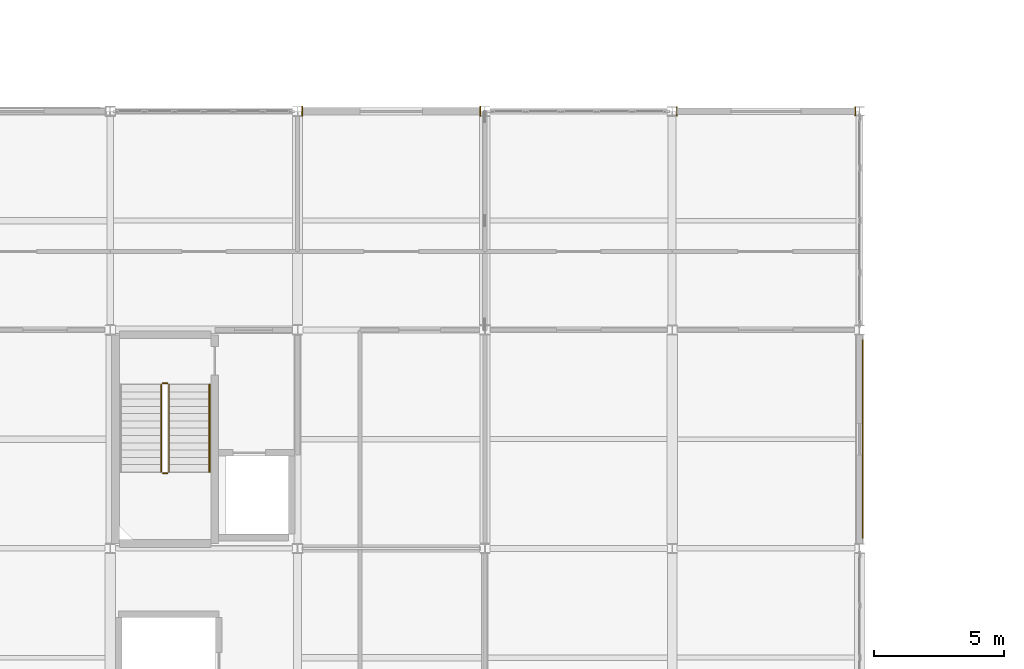
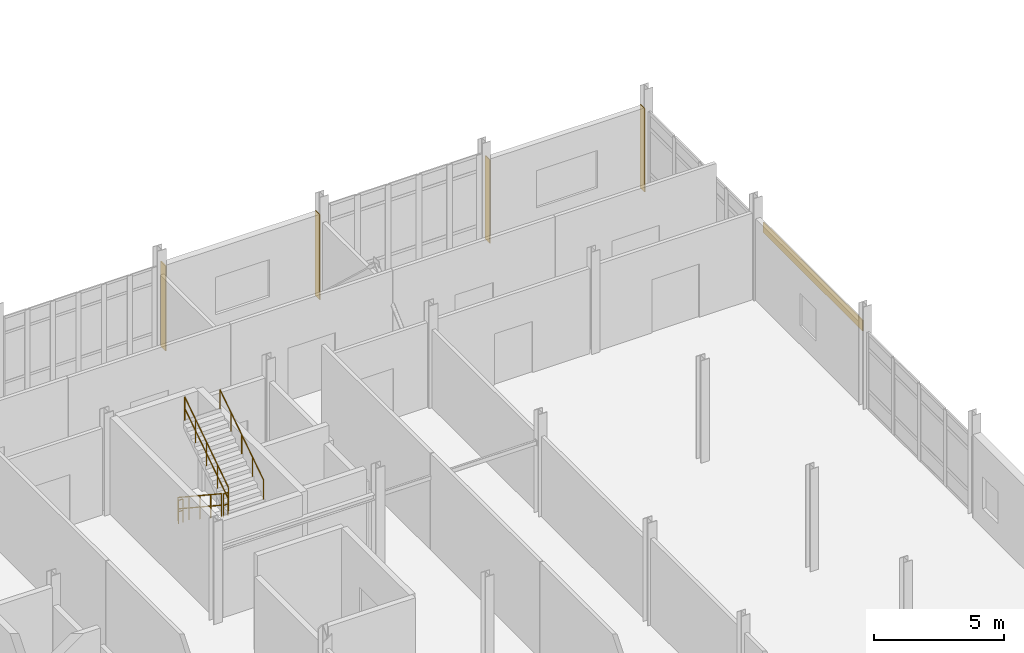
# One storey, part 185 of 186: 5 coverings, 5 railings.
"""IFC4 building model written with IfcOpenShell, lengths in metres."""

from ifc_helpers import new_model, si_unit, direction, frame, origin, origin_2d, place, context, subcontext, project, spatial, polyline, rectangle, circle, outline, extrude, material, layer, layer_set, type_object, element, save


model = new_model("IFC4")

# Units and contexts
model_context = context("Model", 3, precision=1e-05, world=origin(), true_north=direction((0.0, 1.0)))
body_context = subcontext(model_context, "Body", "Model", "MODEL_VIEW")
ifc_project = project(units=[si_unit("LENGTHUNIT", "METRE"), si_unit("AREAUNIT", "SQUARE_METRE"), si_unit("VOLUMEUNIT", "CUBIC_METRE"), si_unit("PLANEANGLEUNIT", "RADIAN"), si_unit("MASSUNIT", "GRAM", prefix="KILO")], contexts=[model_context])

# Site, building, storey
site_placement = place(None, origin())
site = spatial("IfcSite", under=ifc_project, at=site_placement, CompositionType="ELEMENT")
building_placement = place(site_placement, origin())
building = spatial("IfcBuilding", under=site, at=building_placement, Name="Calvrana Isthmian Art Gallery", CompositionType="ELEMENT")
storey_placement = place(building_placement, frame((0.0, 0.0, 5.39990234375)))
storey = spatial("IfcBuildingStorey", under=building, at=storey_placement, Name="L01", CompositionType="ELEMENT", Elevation=5.39990234375)

# Coverings
ifc_material_1 = material(Name="Polychrome glazed terracotta", Category="masonry")
ifc_layer = layer(ifc_material_1, 0.0400390625, Name="Polychrome glazed terracotta")
ifc_layer_set = layer_set([ifc_layer], Name="Polychrome glazed terracotta")
covering_type = type_object("IfcCoveringType", Name="COV-CLAD-TERRA", PredefinedType="CLADDING", material=ifc_layer_set)
covering_1_placement = place(storey_placement, origin())
element("IfcCovering", 1, at=covering_1_placement, inside=storey, type_object=covering_type, Name="Column pocket weather closure L01-17-06-W", PredefinedType="CLADDING", context=body_context, shape_type="SweptSolid", body=[
    extrude(outline(polyline([(134.5595703125, 46.612060546875), (134.599609375, 46.612060546875), (134.599609375, 46.988037109375), (134.5595703125, 46.988037109375), (134.5595703125, 46.612060546875)])), origin(), (0.0, 0.0, 1.0), 3.987060546875),
])
covering_2_placement = place(storey_placement, origin())
element("IfcCovering", 2, at=covering_2_placement, inside=storey, type_object=covering_type, Name="Column pocket weather closure L01-17-06-E", PredefinedType="CLADDING", context=body_context, shape_type="SweptSolid", body=[
    extrude(outline(polyline([(141.402099609375, 46.614501953125), (141.44189453125, 46.614501953125), (141.44189453125, 46.985595703125), (141.402099609375, 46.985595703125), (141.402099609375, 46.614501953125)])), origin(), (0.0, 0.0, 1.0), 3.987060546875),
])
covering_3_placement = place(storey_placement, origin())
element("IfcCovering", 3, at=covering_3_placement, inside=storey, type_object=covering_type, Name="Column pocket weather closure L01-19-06-W", PredefinedType="CLADDING", context=body_context, shape_type="SweptSolid", body=[
    extrude(outline(polyline([(148.945556640625, 46.62353515625), (148.985595703125, 46.62353515625), (148.985595703125, 46.9765625), (148.945556640625, 46.9765625), (148.945556640625, 46.62353515625)])), origin(), (0.0, 0.0, 1.0), 3.9130859375),
])
covering_4_placement = place(storey_placement, origin())
element("IfcCovering", 4, at=covering_4_placement, inside=storey, type_object=covering_type, Name="Column pocket weather closure L01-19-06-E", PredefinedType="CLADDING", context=body_context, shape_type="SweptSolid", body=[
    extrude(outline(polyline([(155.81591796875, 46.626953125), (155.85595703125, 46.626953125), (155.85595703125, 46.972900390625), (155.81591796875, 46.972900390625), (155.81591796875, 46.626953125)])), origin(), (0.0, 0.0, 1.0), 3.9130859375),
])
covering_5_placement = place(storey_placement, frame((156.1279296875, 34.19873046875, 3.22705078125), z_axis=(0.0, 0.0, 1.0), x_axis=(0.0, -1.0, 0.0)))
element("IfcCovering", 5, at=covering_5_placement, inside=storey, type_object=covering_type, Name="Terracotta spandrel cladding 110", PredefinedType="CLADDING", context=body_context, shape_type="SweptSolid", body=[
    extrude(rectangle(XDim=7.62939453125, YDim=0.0400390625, at=origin_2d()), origin(), (0.0, 0.0, 1.0), 0.5),
])

# Railings
ifc_material_2 = material(Name="Stainless steel 316", Category="steel")
railing_type_1 = type_object("IfcRailingType", Name="RL-GUARD-1120", PredefinedType="BALUSTRADE", material=ifc_material_2)
railing_1_placement = place(storey_placement, frame((129.159912109375, 36.300048828125, 0.184814453125)))
element("IfcRailing", 6, at=railing_1_placement, inside=storey, type_object=railing_type_1, Name="Stair ST-4 guard L01-1", PredefinedType="BALUSTRADE", context=body_context, shape_type="SweptSolid", body=[
    extrude(circle(Radius=0.02392578125, at=origin_2d()), frame((0.0, 0.0, 1.09619140625), z_axis=(0.0, -0.834876476806, 0.550437342915), x_axis=(1.0, 0.0, 0.0)), (0.0, 0.0, 1.0), 4.024658203125),
    extrude(circle(Radius=0.02392578125, at=origin_2d()), frame((0.0, 0.0, 0.56005859375), z_axis=(0.0, -0.834876476806, 0.550437342915), x_axis=(1.0, 0.0, 0.0)), (0.0, 0.0, 1.0), 4.024658203125),
    extrude(circle(Radius=0.02099609375, at=origin_2d()), origin(), (0.0, 0.0, 1.0), 1.072021484375),
    extrude(circle(Radius=0.02099609375, at=origin_2d()), frame((0.0, -0.840087890625, 0.5537109375)), (0.0, 0.0, 1.0), 1.072021484375),
    extrude(circle(Radius=0.02099609375, at=origin_2d()), frame((0.0, -1.68017578125, 1.107666015625)), (0.0, 0.0, 1.0), 1.072021484375),
    extrude(circle(Radius=0.02099609375, at=origin_2d()), frame((0.0, -2.52001953125, 1.66162109375)), (0.0, 0.0, 1.0), 1.072021484375),
    extrude(circle(Radius=0.02099609375, at=origin_2d()), frame((0.0, -3.360107421875, 2.21533203125)), (0.0, 0.0, 1.0), 1.072021484375),
])
railing_2_placement = place(storey_placement, frame((129.2099609375, 32.889892578125, 2.400146484375)))
element("IfcRailing", 7, at=railing_2_placement, inside=storey, type_object=railing_type_1, Name="Stair ST-4 guard L01-2", PredefinedType="BALUSTRADE", context=body_context, shape_type="SweptSolid", body=[
    extrude(circle(Radius=0.02392578125, at=origin_2d()), frame((0.0, 0.0, 1.09619140625), z_axis=(1.0, 0.0, 0.0), x_axis=(0.0, 1.0, 0.0)), (0.0, 0.0, 1.0), 0.199951171875),
    extrude(circle(Radius=0.02392578125, at=origin_2d()), frame((0.0, 0.0, 0.56005859375), z_axis=(1.0, 0.0, 0.0), x_axis=(0.0, 1.0, 0.0)), (0.0, 0.0, 1.0), 0.199951171875),
    extrude(circle(Radius=0.02099609375, at=origin_2d()), origin(), (0.0, 0.0, 1.0), 1.072021484375),
    extrude(circle(Radius=0.02099609375, at=origin_2d()), frame((0.199951171875, 0.0, 0.0)), (0.0, 0.0, 1.0), 1.072021484375),
])
railing_3_placement = place(storey_placement, frame((129.4599609375, 32.93994140625, 2.584716796875)))
element("IfcRailing", 8, at=railing_3_placement, inside=storey, type_object=railing_type_1, Name="Stair ST-4 guard L01-3", PredefinedType="BALUSTRADE", context=body_context, shape_type="SweptSolid", body=[
    extrude(circle(Radius=0.02392578125, at=origin_2d()), frame((0.0, 0.0, 1.09619140625), z_axis=(0.0, 0.834876476806, 0.550437342915), x_axis=(-1.0, 0.0, 0.0)), (0.0, 0.0, 1.0), 4.024658203125),
    extrude(circle(Radius=0.02392578125, at=origin_2d()), frame((0.0, 0.0, 0.56005859375), z_axis=(0.0, 0.834876476806, 0.550437342915), x_axis=(-1.0, 0.0, 0.0)), (0.0, 0.0, 1.0), 4.024658203125),
    extrude(circle(Radius=0.02099609375, at=origin_2d()), origin(), (0.0, 0.0, 1.0), 1.072021484375),
    extrude(circle(Radius=0.02099609375, at=origin_2d()), frame((0.0, 0.840087890625, 0.5537109375)), (0.0, 0.0, 1.0), 1.072021484375),
    extrude(circle(Radius=0.02099609375, at=origin_2d()), frame((0.0, 1.68017578125, 1.107666015625)), (0.0, 0.0, 1.0), 1.072021484375),
    extrude(circle(Radius=0.02099609375, at=origin_2d()), frame((0.0, 2.52001953125, 1.66162109375)), (0.0, 0.0, 1.0), 1.072021484375),
    extrude(circle(Radius=0.02099609375, at=origin_2d()), frame((0.0, 3.360107421875, 2.21533203125)), (0.0, 0.0, 1.0), 1.072021484375),
])
railing_4_placement = place(storey_placement, frame((129.2099609375, 36.35009765625, 0.0)))
element("IfcRailing", 9, at=railing_4_placement, inside=storey, type_object=railing_type_1, Name="Stair ST-4 guard L01-4", PredefinedType="BALUSTRADE", context=body_context, shape_type="SweptSolid", body=[
    extrude(circle(Radius=0.02392578125, at=origin_2d()), frame((0.0, 0.0, 1.09619140625), z_axis=(1.0, 0.0, 0.0), x_axis=(0.0, 1.0, 0.0)), (0.0, 0.0, 1.0), 0.199951171875),
    extrude(circle(Radius=0.02392578125, at=origin_2d()), frame((0.0, 0.0, 0.56005859375), z_axis=(1.0, 0.0, 0.0), x_axis=(0.0, 1.0, 0.0)), (0.0, 0.0, 1.0), 0.199951171875),
    extrude(circle(Radius=0.02099609375, at=origin_2d()), origin(), (0.0, 0.0, 1.0), 1.072021484375),
    extrude(circle(Radius=0.02099609375, at=origin_2d()), frame((0.199951171875, 0.0, 0.0)), (0.0, 0.0, 1.0), 1.072021484375),
])
railing_type_2 = type_object("IfcRailingType", Name="RL-HAND-920", PredefinedType="HANDRAIL", material=ifc_material_2)
railing_5_placement = place(storey_placement, frame((131.02001953125, 32.93994140625, 2.584716796875)))
element("IfcRailing", 10, at=railing_5_placement, inside=storey, type_object=railing_type_2, Name="Stair ST-4 handrail L01-2", PredefinedType="HANDRAIL", context=body_context, shape_type="SweptSolid", body=[
    extrude(circle(Radius=0.02392578125, at=origin_2d()), frame((0.0, 0.0, 0.89599609375), z_axis=(0.0, 0.834876476806, 0.550437342915), x_axis=(-1.0, 0.0, 0.0)), (0.0, 0.0, 1.0), 4.024658203125),
    extrude(circle(Radius=0.02099609375, at=origin_2d()), origin(), (0.0, 0.0, 1.0), 0.871826171875),
    extrude(circle(Radius=0.02099609375, at=origin_2d()), frame((0.0, 0.840087890625, 0.5537109375)), (0.0, 0.0, 1.0), 0.871826171875),
    extrude(circle(Radius=0.02099609375, at=origin_2d()), frame((0.0, 1.68017578125, 1.107666015625)), (0.0, 0.0, 1.0), 0.871826171875),
    extrude(circle(Radius=0.02099609375, at=origin_2d()), frame((0.0, 2.52001953125, 1.66162109375)), (0.0, 0.0, 1.0), 0.871826171875),
    extrude(circle(Radius=0.02099609375, at=origin_2d()), frame((0.0, 3.360107421875, 2.21533203125)), (0.0, 0.0, 1.0), 0.871826171875),
])

save(model, "model.ifc")
